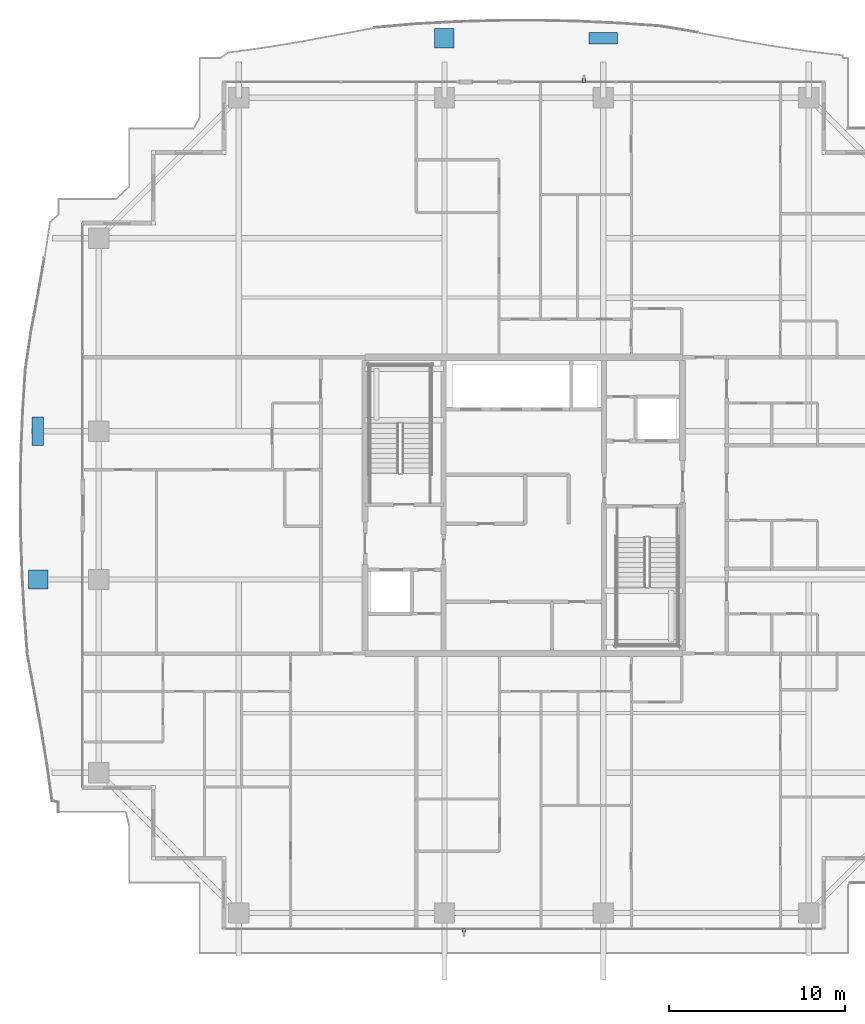
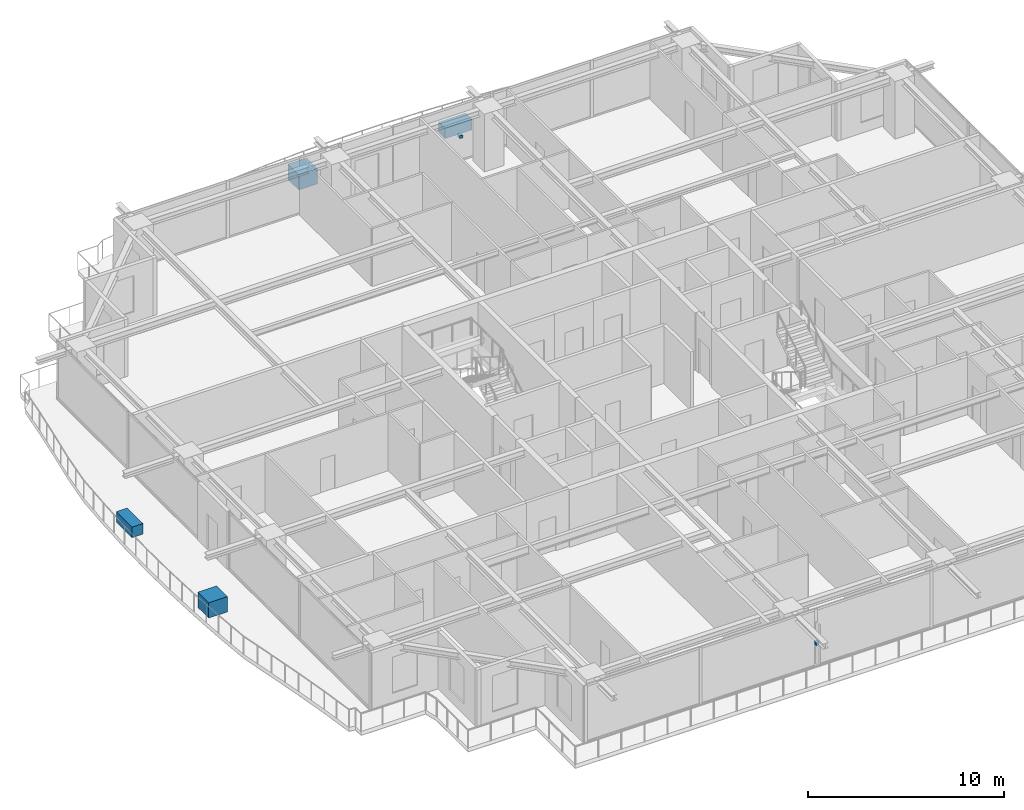
# One storey, part 32 of 40: 6 discrete accessories.
"""IFC4 building model written with IfcOpenShell, lengths in metres."""

from ifc_helpers import new_model, si_unit, direction, frame, origin, origin_2d, place, context, subcontext, project, spatial, rectangle, extrude, source, transform, mapped, material, type_object, element, save


model = new_model("IFC4")

# Units and contexts
model_context = context("Model", 3, precision=1e-05, world=origin(), true_north=direction((0.0, 1.0)))
body_context = subcontext(model_context, "Body", "Model", "MODEL_VIEW")
ifc_project = project(units=[si_unit("LENGTHUNIT", "METRE"), si_unit("AREAUNIT", "SQUARE_METRE"), si_unit("VOLUMEUNIT", "CUBIC_METRE"), si_unit("PLANEANGLEUNIT", "RADIAN"), si_unit("MASSUNIT", "GRAM", prefix="KILO")], contexts=[model_context])

# Site, building, storey
site_placement = place(None, origin())
site = spatial("IfcSite", under=ifc_project, at=site_placement, CompositionType="ELEMENT")
building_placement = place(site_placement, origin())
building = spatial("IfcBuilding", under=site, at=building_placement, Name="Serunith Strait Residences", CompositionType="ELEMENT")
storey_placement = place(building_placement, frame((0.0, 0.0, 252.800048828125)))
storey = spatial("IfcBuildingStorey", under=building, at=storey_placement, Name="L63", CompositionType="ELEMENT", Elevation=252.800048828125)

# Discrete accessories
ifc_material_1 = material(Name="GFRC Root-Anchored Structural Planter")
discrete_accessory_type_1 = type_object("IfcDiscreteAccessoryType", Name="ACC-PLANTER-TREE", PredefinedType="USERDEFINED", material=ifc_material_1)
shared_shape_1 = source(origin(), body_context, "Body", "SweptSolid", [
    extrude(rectangle(XDim=1.10009765625, YDim=1.10009765625, at=origin_2d()), origin(), (0.0, 0.0, 1.0), 0.949951171875),
])
for number, where, z_axis, x_axis, name in (
    (1, (27.89990234375, 51.67724609375, -0.0498046875), (0.0, 0.0, 1.0), (-1.0, 0.0, 0.0), "L63 Vertical-Forest Tree Planter 06"),
    (2, (4.885009765625, 21.0, -0.0498046875), (0.0, 0.0, 1.0), (0.0, -1.0, 0.0), "L63 Vertical-Forest Tree Planter 14"),
):
    element("IfcDiscreteAccessory", number, at=place(storey_placement, frame(where, z_axis=z_axis, x_axis=x_axis)), inside=storey, type_object=discrete_accessory_type_1, Name=name, ObjectType="PLANTER", PredefinedType="USERDEFINED", context=body_context, shape_type="MappedRepresentation", body=[
        mapped(shared_shape_1, transform((0.0, 0.0, 0.0), scale=1.0)),
    ])
ifc_material_2 = material(Name="GFRC Irrigated Shrub Trough Planter")
discrete_accessory_type_2 = type_object("IfcDiscreteAccessoryType", Name="ACC-PLANTER-SHRUB", PredefinedType="USERDEFINED", material=ifc_material_2)
shared_shape_2 = source(origin(), body_context, "Body", "SweptSolid", [
    extrude(rectangle(XDim=1.60009765625, YDim=0.64990234375, at=origin_2d()), origin(), (0.0, 0.0, 1.0), 0.64990234375),
])
for number, where, z_axis, x_axis, name in (
    (3, (36.89990234375, 51.672119140625, -0.050048828125), (0.0, 0.0, 1.0), (-1.0, 0.0, 0.0), "L63 Vertical-Forest Shrub Planter 07"),
    (4, (4.852783203125, 29.39990234375, -0.050048828125), (0.0, 0.0, 1.0), (0.0, -1.0, 0.0), "L63 Vertical-Forest Shrub Planter 15"),
):
    element("IfcDiscreteAccessory", number, at=place(storey_placement, frame(where, z_axis=z_axis, x_axis=x_axis)), inside=storey, type_object=discrete_accessory_type_2, Name=name, ObjectType="PLANTER", PredefinedType="USERDEFINED", context=body_context, shape_type="MappedRepresentation", body=[
        mapped(shared_shape_2, transform((0.0, 0.0, 0.0), scale=1.0)),
    ])
ifc_material_3 = material(Name="Stainless Steel Facade Cleat Bracket", Category="steel")
discrete_accessory_type_3 = type_object("IfcDiscreteAccessoryType", Name="ACC-FIN-BRACKET", PredefinedType="USERDEFINED", material=ifc_material_3)
shared_shape_3 = source(origin(), body_context, "Body", "SweptSolid", [
    extrude(rectangle(XDim=0.179931640625, YDim=0.219970703125, at=origin_2d()), origin(), (0.0, 0.0, 1.0), 0.179931640625),
])
for number, where, z_axis, x_axis, name in (
    (5, (29.0, 1.1201171875, 1.41015625), (0.0, 0.0, 1.0), (1.0, 0.0, 0.0), "L63 Solar Fin Cleat Bracket S"),
    (6, (35.800048828125, 49.280029296875, 1.41015625), (0.0, 0.0, 1.0), (1.0, 0.0, 0.0), "L63 Solar Fin Cleat Bracket N"),
):
    element("IfcDiscreteAccessory", number, at=place(storey_placement, frame(where, z_axis=z_axis, x_axis=x_axis)), inside=storey, type_object=discrete_accessory_type_3, Name=name, ObjectType="BRACKET", PredefinedType="USERDEFINED", context=body_context, shape_type="MappedRepresentation", body=[
        mapped(shared_shape_3, transform((0.0, 0.0, 0.0), scale=1.0)),
    ])

save(model, "model.ifc")
